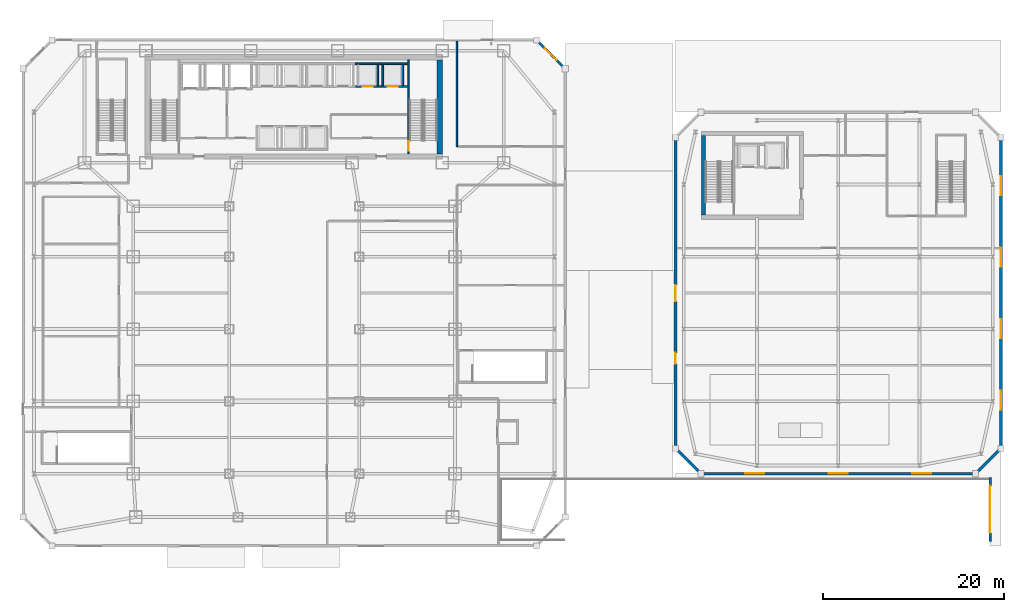
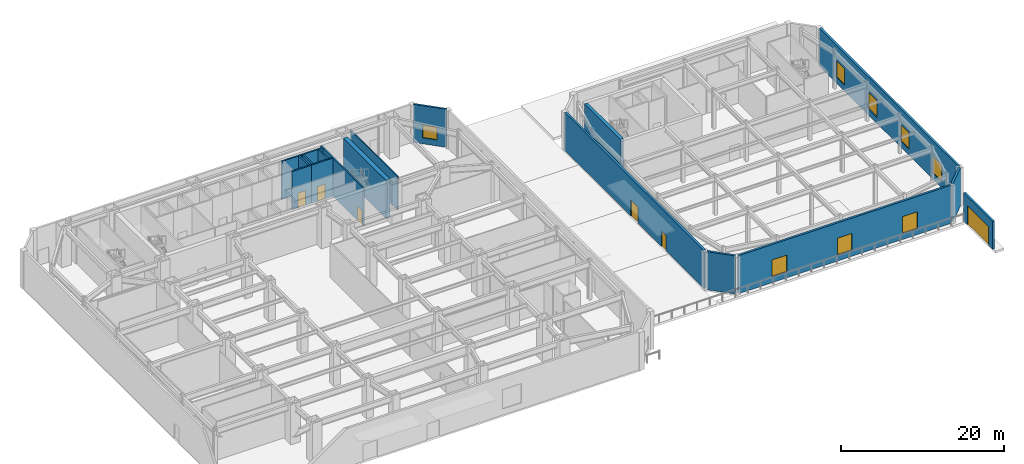
# One storey, part 14 of 23: 18 walls, 8 windows, 6 doors, 14 openings.
"""IFC4 building model written with IfcOpenShell, lengths in metres."""

from ifc_helpers import new_model, si_unit, direction, frame, frame_2d, origin, place, context, subcontext, project, spatial, rectangle, extrude, material, layer, layer_set, type_object, element, fill, save


model = new_model("IFC4")

# Units and contexts
model_context = context("Model", 3, precision=1e-05, world=origin(), true_north=direction((0.0, 1.0)))
body_context = subcontext(model_context, "Body", "Model", "MODEL_VIEW")
ifc_project = project(units=[si_unit("LENGTHUNIT", "METRE"), si_unit("AREAUNIT", "SQUARE_METRE"), si_unit("VOLUMEUNIT", "CUBIC_METRE"), si_unit("PLANEANGLEUNIT", "RADIAN"), si_unit("MASSUNIT", "GRAM", prefix="KILO")], contexts=[model_context])

# Site, building, storey
site_placement = place(None, origin())
site = spatial("IfcSite", under=ifc_project, at=site_placement, CompositionType="ELEMENT")
building_placement = place(site_placement, origin())
building = spatial("IfcBuilding", under=site, at=building_placement, Name="Saevonmaru Cultural Tower", CompositionType="ELEMENT")
storey_placement = place(building_placement, origin())
storey = spatial("IfcBuildingStorey", under=building, at=storey_placement, Name="L00", CompositionType="ELEMENT", Elevation=0.0)

# Walls
ifc_material_1 = material(Name="Concrete C60/75", Category="concrete")
ifc_layer_1 = layer(ifc_material_1, 0.60009765625, Name="Concrete C60/75")
ifc_layer_set_1 = layer_set([ifc_layer_1], Name="Concrete C60/75")
wall_type_1 = type_object("IfcWallType", Name="WL-CORE-600", PredefinedType="SHEAR", material=ifc_layer_set_1)
wall_1_placement = place(storey_placement, frame((46.10009765625, 43.39990234375, 0.0), z_axis=(0.0, 0.0, 1.0), x_axis=(0.0, 1.0, 0.0)))
element("IfcWall", 1, at=wall_1_placement, inside=storey, type_object=wall_type_1, Name="L00 Tower RC core shear wall E", PredefinedType="SHEAR", context=body_context, shape_type="SweptSolid", body=[
    extrude(rectangle(XDim=10.400146484375, YDim=0.60009765625, at=frame_2d((5.2001953125, 0.0))), origin(), (0.0, 0.0, 1.0), 5.699951171875),
])
ifc_material_2 = material(Name="Warm Limestone Precast Concrete C40/50", Category="masonry")
ifc_layer_2 = layer(ifc_material_2, 0.300048828125, Name="Warm Limestone Precast Concrete C40/50")
ifc_layer_set_2 = layer_set([ifc_layer_2], Name="Warm Limestone Precast Concrete C40/50")
wall_type_2 = type_object("IfcWallType", Name="WL-EXT-LIB-300", PredefinedType="STANDARD", material=ifc_layer_set_2)
wall_2_placement = place(storey_placement, frame((74.886962890625, 8.113037109375, 0.0), z_axis=(0.0, 0.0, 1.0), x_axis=(-0.707106781187, 0.707106781187, 0.0)))
element("IfcWall", 2, at=wall_2_placement, inside=storey, type_object=wall_type_2, Name="L00 Central Library Fluted Stone Wall E1", PredefinedType="STANDARD", context=body_context, shape_type="SweptSolid", body=[
    extrude(rectangle(XDim=3.64013671875, YDim=0.300048828125, at=frame_2d((1.820068359375, 0.0))), origin(), (0.0, 0.0, 1.0), 5.699951171875),
])

# Wall, openings, windows
wall_3_placement = place(storey_placement, frame((105.239990234375, 8.0, 0.0), z_axis=(0.0, 0.0, 1.0), x_axis=(-1.0, 0.0, 0.0)))
wall_3 = element("IfcWall", 3, at=wall_3_placement, inside=storey, type_object=wall_type_2, Name="L00 Central Library Fluted Stone Wall E2", PredefinedType="STANDARD", context=body_context, shape_type="SweptSolid", body=[
    extrude(rectangle(XDim=30.080078125, YDim=0.300048828125, at=frame_2d((15.0400390625, 0.0))), origin(), (0.0, 0.0, 1.0), 5.699951171875),
])
opening_1_placement = place(wall_3_placement, frame((4.762939453125, 0.0, 0.89990234375)))
opening_1 = element("IfcOpeningElement", 4, at=opening_1_placement, cuts=wall_3, Name="Opening W-3", PredefinedType="OPENING", context=body_context, shape_type="SweptSolid", body=[
    extrude(rectangle(XDim=2.10009765625, YDim=2.5, at=frame_2d((1.050048828125, 1.25))), frame((0.0, 0.16015625, 0.0), z_axis=(0.0, -1.0, 0.0), x_axis=(1.0, 0.0, 0.0)), (0.0, 0.0, 1.0), 0.320068359375),
])
opening_2_placement = place(wall_3_placement, frame((13.989990234375, 0.0, 0.89990234375)))
opening_2 = element("IfcOpeningElement", 5, at=opening_2_placement, cuts=wall_3, Name="Opening W-3", PredefinedType="OPENING", context=body_context, shape_type="SweptSolid", body=[
    extrude(rectangle(XDim=2.10009765625, YDim=2.5, at=frame_2d((1.050048828125, 1.25))), frame((0.0, 0.16015625, 0.0), z_axis=(0.0, -1.0, 0.0), x_axis=(1.0, 0.0, 0.0)), (0.0, 0.0, 1.0), 0.320068359375),
])
opening_3_placement = place(wall_3_placement, frame((23.217041015625, 0.0, 0.89990234375)))
opening_3 = element("IfcOpeningElement", 6, at=opening_3_placement, cuts=wall_3, Name="Opening W-3", PredefinedType="OPENING", context=body_context, shape_type="SweptSolid", body=[
    extrude(rectangle(XDim=2.10009765625, YDim=2.5, at=frame_2d((1.050048828125, 1.25))), frame((0.0, 0.16015625, 0.0), z_axis=(0.0, -1.0, 0.0), x_axis=(1.0, 0.0, 0.0)), (0.0, 0.0, 1.0), 0.320068359375),
])
ifc_material_3 = material(Name="Satin Bronze Anodised Aluminium", Category="aluminium")
window_type_1 = type_object("IfcWindowType", Name="WN-LIB-2100x2500", PartitioningType="DOUBLE_PANEL_VERTICAL", PredefinedType="WINDOW", material=ifc_material_3)
window_1_placement = place(opening_1_placement, origin())
window_1 = element("IfcWindow", 7, at=window_1_placement, inside=storey, type_object=window_type_1, Name="L00 Library Reading Window E2-1", OverallHeight=2.5, OverallWidth=2.10009765625, PartitioningType="DOUBLE_PANEL_VERTICAL", PredefinedType="WINDOW", context=body_context, shape_type="SweptSolid", body=[
    extrude(rectangle(XDim=2.10009765625, YDim=2.5, at=frame_2d((1.050048828125, 1.25))), frame((0.0, 0.030029296875, 0.0), z_axis=(0.0, -1.0, 0.0), x_axis=(1.0, 0.0, 0.0)), (0.0, 0.0, 1.0), 0.06005859375),
])
fill(opening_1, window_1)
window_2_placement = place(opening_2_placement, origin())
window_2 = element("IfcWindow", 8, at=window_2_placement, inside=storey, type_object=window_type_1, Name="L00 Library Reading Window E2-2", OverallHeight=2.5, OverallWidth=2.10009765625, PartitioningType="DOUBLE_PANEL_VERTICAL", PredefinedType="WINDOW", context=body_context, shape_type="SweptSolid", body=[
    extrude(rectangle(XDim=2.10009765625, YDim=2.5, at=frame_2d((1.050048828125, 1.25))), frame((0.0, 0.030029296875, 0.0), z_axis=(0.0, -1.0, 0.0), x_axis=(1.0, 0.0, 0.0)), (0.0, 0.0, 1.0), 0.06005859375),
])
fill(opening_2, window_2)
window_3_placement = place(opening_3_placement, origin())
window_3 = element("IfcWindow", 9, at=window_3_placement, inside=storey, type_object=window_type_1, Name="L00 Library Reading Window E2-3", OverallHeight=2.5, OverallWidth=2.10009765625, PartitioningType="DOUBLE_PANEL_VERTICAL", PredefinedType="WINDOW", context=body_context, shape_type="SweptSolid", body=[
    extrude(rectangle(XDim=2.10009765625, YDim=2.5, at=frame_2d((1.050048828125, 1.25))), frame((0.0, 0.030029296875, 0.0), z_axis=(0.0, -1.0, 0.0), x_axis=(1.0, 0.0, 0.0)), (0.0, 0.0, 1.0), 0.06005859375),
])
fill(opening_3, window_3)

# Wall
wall_4_placement = place(storey_placement, frame((108.0869140625, 10.68701171875, 0.0), z_axis=(0.0, 0.0, 1.0), x_axis=(-0.707073244381, -0.707140316402, 0.0)))
element("IfcWall", 10, at=wall_4_placement, inside=storey, type_object=wall_type_2, Name="L00 Central Library Fluted Stone Wall E3", PredefinedType="STANDARD", context=body_context, shape_type="SweptSolid", body=[
    extrude(rectangle(XDim=3.639892578125, YDim=0.300048828125, at=frame_2d((1.81982421875, 0.0))), origin(), (0.0, 0.0, 1.0), 5.699951171875),
])

# Wall, openings, windows
wall_5_placement = place(storey_placement, frame((108.199951171875, 45.0400390625, 0.0), z_axis=(0.0, 0.0, 1.0), x_axis=(0.0, -1.0, 0.0)))
wall_5 = element("IfcWall", 11, at=wall_5_placement, inside=storey, type_object=wall_type_2, Name="L00 Central Library Fluted Stone Wall E4", PredefinedType="STANDARD", context=body_context, shape_type="SweptSolid", body=[
    extrude(rectangle(XDim=34.080078125, YDim=0.300048828125, at=frame_2d((17.0400390625, 0.0))), origin(), (0.0, 0.0, 1.0), 5.699951171875),
])
opening_4_placement = place(wall_5_placement, frame((4.110107421875, 0.0, 0.89990234375)))
opening_4 = element("IfcOpeningElement", 12, at=opening_4_placement, cuts=wall_5, Name="Opening W-3", PredefinedType="OPENING", context=body_context, shape_type="SweptSolid", body=[
    extrude(rectangle(XDim=2.10009765625, YDim=2.5, at=frame_2d((1.050048828125, 1.25))), frame((0.0, 0.16015625, 0.0), z_axis=(0.0, -1.0, 0.0), x_axis=(1.0, 0.0, 0.0)), (0.0, 0.0, 1.0), 0.320068359375),
])
opening_5_placement = place(wall_5_placement, frame((12.030029296875, 0.0, 0.89990234375)))
opening_5 = element("IfcOpeningElement", 13, at=opening_5_placement, cuts=wall_5, Name="Opening W-3", PredefinedType="OPENING", context=body_context, shape_type="SweptSolid", body=[
    extrude(rectangle(XDim=2.10009765625, YDim=2.5, at=frame_2d((1.050048828125, 1.25))), frame((0.0, 0.16015625, 0.0), z_axis=(0.0, -1.0, 0.0), x_axis=(1.0, 0.0, 0.0)), (0.0, 0.0, 1.0), 0.320068359375),
])
opening_6_placement = place(wall_5_placement, frame((19.949951171875, 0.0, 0.89990234375)))
opening_6 = element("IfcOpeningElement", 14, at=opening_6_placement, cuts=wall_5, Name="Opening W-3", PredefinedType="OPENING", context=body_context, shape_type="SweptSolid", body=[
    extrude(rectangle(XDim=2.10009765625, YDim=2.5, at=frame_2d((1.050048828125, 1.25))), frame((0.0, 0.16015625, 0.0), z_axis=(0.0, -1.0, 0.0), x_axis=(1.0, 0.0, 0.0)), (0.0, 0.0, 1.0), 0.320068359375),
])
opening_7_placement = place(wall_5_placement, frame((27.8701171875, 0.0, 0.89990234375)))
opening_7 = element("IfcOpeningElement", 15, at=opening_7_placement, cuts=wall_5, Name="Opening W-3", PredefinedType="OPENING", context=body_context, shape_type="SweptSolid", body=[
    extrude(rectangle(XDim=2.10009765625, YDim=2.5, at=frame_2d((1.050048828125, 1.25))), frame((0.0, 0.16015625, 0.0), z_axis=(0.0, -1.0, 0.0), x_axis=(1.0, 0.0, 0.0)), (0.0, 0.0, 1.0), 0.320068359375),
])
window_4_placement = place(opening_4_placement, origin())
window_4 = element("IfcWindow", 16, at=window_4_placement, inside=storey, type_object=window_type_1, Name="L00 Library Reading Window E4-1", OverallHeight=2.5, OverallWidth=2.10009765625, PartitioningType="DOUBLE_PANEL_VERTICAL", PredefinedType="WINDOW", context=body_context, shape_type="SweptSolid", body=[
    extrude(rectangle(XDim=2.10009765625, YDim=2.5, at=frame_2d((1.050048828125, 1.25))), frame((0.0, 0.030029296875, 0.0), z_axis=(0.0, -1.0, 0.0), x_axis=(1.0, 0.0, 0.0)), (0.0, 0.0, 1.0), 0.06005859375),
])
fill(opening_4, window_4)
window_5_placement = place(opening_5_placement, origin())
window_5 = element("IfcWindow", 17, at=window_5_placement, inside=storey, type_object=window_type_1, Name="L00 Library Reading Window E4-2", OverallHeight=2.5, OverallWidth=2.10009765625, PartitioningType="DOUBLE_PANEL_VERTICAL", PredefinedType="WINDOW", context=body_context, shape_type="SweptSolid", body=[
    extrude(rectangle(XDim=2.10009765625, YDim=2.5, at=frame_2d((1.050048828125, 1.25))), frame((0.0, 0.030029296875, 0.0), z_axis=(0.0, -1.0, 0.0), x_axis=(1.0, 0.0, 0.0)), (0.0, 0.0, 1.0), 0.06005859375),
])
fill(opening_5, window_5)
window_6_placement = place(opening_6_placement, origin())
window_6 = element("IfcWindow", 18, at=window_6_placement, inside=storey, type_object=window_type_1, Name="L00 Library Reading Window E4-3", OverallHeight=2.5, OverallWidth=2.10009765625, PartitioningType="DOUBLE_PANEL_VERTICAL", PredefinedType="WINDOW", context=body_context, shape_type="SweptSolid", body=[
    extrude(rectangle(XDim=2.10009765625, YDim=2.5, at=frame_2d((1.050048828125, 1.25))), frame((0.0, 0.030029296875, 0.0), z_axis=(0.0, -1.0, 0.0), x_axis=(1.0, 0.0, 0.0)), (0.0, 0.0, 1.0), 0.06005859375),
])
fill(opening_6, window_6)
window_7_placement = place(opening_7_placement, origin())
window_7 = element("IfcWindow", 19, at=window_7_placement, inside=storey, type_object=window_type_1, Name="L00 Library Reading Window E4-4", OverallHeight=2.5, OverallWidth=2.10009765625, PartitioningType="DOUBLE_PANEL_VERTICAL", PredefinedType="WINDOW", context=body_context, shape_type="SweptSolid", body=[
    extrude(rectangle(XDim=2.10009765625, YDim=2.5, at=frame_2d((1.050048828125, 1.25))), frame((0.0, 0.030029296875, 0.0), z_axis=(0.0, -1.0, 0.0), x_axis=(1.0, 0.0, 0.0)), (0.0, 0.0, 1.0), 0.06005859375),
])
fill(opening_7, window_7)

# Wall, openings, doors
wall_6_placement = place(storey_placement, frame((72.199951171875, 10.9599609375, 0.0), z_axis=(0.0, 0.0, 1.0), x_axis=(0.0, 1.0, 0.0)))
wall_6 = element("IfcWall", 20, at=wall_6_placement, inside=storey, type_object=wall_type_2, Name="L00 Central Library Fluted Stone Wall E8", PredefinedType="STANDARD", context=body_context, shape_type="SweptSolid", body=[
    extrude(rectangle(XDim=34.080078125, YDim=0.300048828125, at=frame_2d((17.0400390625, 0.0))), origin(), (0.0, 0.0, 1.0), 5.699951171875),
])
opening_8_placement = place(wall_6_placement, frame((16.10009765625, 0.0, 0.0)))
opening_8 = element("IfcOpeningElement", 21, at=opening_8_placement, cuts=wall_6, Name="Opening EXD-1", PredefinedType="OPENING", context=body_context, shape_type="SweptSolid", body=[
    extrude(rectangle(XDim=1.800048828125, YDim=2.39990234375, at=frame_2d((0.89990234375, 1.199951171875))), frame((0.0, 0.16015625, 0.0), z_axis=(0.0, -1.0, 0.0), x_axis=(1.0, 0.0, 0.0)), (0.0, 0.0, 1.0), 0.320068359375),
])
opening_9_placement = place(wall_6_placement, frame((9.199951171875, 0.0, 0.0)))
opening_9 = element("IfcOpeningElement", 22, at=opening_9_placement, cuts=wall_6, Name="Opening EXD-2", PredefinedType="OPENING", context=body_context, shape_type="SweptSolid", body=[
    extrude(rectangle(XDim=1.199951171875, YDim=2.25, at=frame_2d((0.60009765625, 1.125))), frame((0.0, 0.16015625, 0.0), z_axis=(0.0, -1.0, 0.0), x_axis=(1.0, 0.0, 0.0)), (0.0, 0.0, 1.0), 0.320068359375),
])
door_type_1 = type_object("IfcDoorType", Name="DR-EXIT-1200", OperationType="SINGLE_SWING_LEFT", PredefinedType="DOOR", material=ifc_material_3)
door_1_placement = place(opening_9_placement, origin())
door_1 = element("IfcDoor", 23, at=door_1_placement, inside=storey, type_object=door_type_1, Name="Central Library Plaza Entrance Door 2", OperationType="SINGLE_SWING_LEFT", OverallHeight=2.25, OverallWidth=1.199951171875, PredefinedType="DOOR", context=body_context, shape_type="SweptSolid", body=[
    extrude(rectangle(XDim=1.199951171875, YDim=2.25, at=frame_2d((0.60009765625, 1.125))), frame((0.0, 0.02490234375, 0.0), z_axis=(0.0, -1.0, 0.0), x_axis=(1.0, 0.0, 0.0)), (0.0, 0.0, 1.0), 0.050048828125),
])
fill(opening_9, door_1)
door_type_2 = type_object("IfcDoorType", Name="DR-EXIT-1800", OperationType="DOUBLE_DOOR_SINGLE_SWING", PredefinedType="DOOR", material=ifc_material_3)
door_2_placement = place(opening_8_placement, origin())
door_2 = element("IfcDoor", 24, at=door_2_placement, inside=storey, type_object=door_type_2, Name="Central Library Plaza Entrance Door 1", OperationType="DOUBLE_DOOR_SINGLE_SWING", OverallHeight=2.39990234375, OverallWidth=1.800048828125, PredefinedType="DOOR", context=body_context, shape_type="SweptSolid", body=[
    extrude(rectangle(XDim=1.800048828125, YDim=2.39990234375, at=frame_2d((0.89990234375, 1.199951171875))), frame((0.0, 0.02490234375, 0.0), z_axis=(0.0, -1.0, 0.0), x_axis=(1.0, 0.0, 0.0)), (0.0, 0.0, 1.0), 0.050048828125),
])
fill(opening_8, door_2)

# Wall, opening, window
ifc_material_4 = material(Name="Granite-Clad Precast Concrete C40/50", Category="masonry")
ifc_layer_3 = layer(ifc_material_4, 0.260009765625, Name="Granite-Clad Precast Concrete C40/50")
ifc_layer_set_3 = layer_set([ifc_layer_3], Name="Granite-Clad Precast Concrete C40/50")
wall_type_3 = type_object("IfcWallType", Name="WL-EXT-SPANDREL-260", PredefinedType="STANDARD", material=ifc_layer_set_3)
wall_7_placement = place(storey_placement, frame((56.9130859375, 55.886962890625, 0.0), z_axis=(0.0, 0.0, 1.0), x_axis=(0.707106781187, -0.707106781187, 0.0)))
wall_7 = element("IfcWall", 25, at=wall_7_placement, inside=storey, type_object=wall_type_3, Name="L00 Podium Bronze-Granite Exterior Wall E5", PredefinedType="STANDARD", context=body_context, shape_type="SweptSolid", body=[
    extrude(rectangle(XDim=4.205810546875, YDim=0.260009765625, at=frame_2d((2.10302734375, 0.0))), origin(), (0.0, 0.0, 1.0), 5.699951171875),
])
opening_10_placement = place(wall_7_placement, frame((1.202880859375, 0.0, 0.89990234375)))
opening_10 = element("IfcOpeningElement", 26, at=opening_10_placement, cuts=wall_7, Name="Opening W-2", PredefinedType="OPENING", context=body_context, shape_type="SweptSolid", body=[
    extrude(rectangle(XDim=1.800048828125, YDim=1.89990234375, at=frame_2d((0.89990234375, 0.949951171875))), frame((0.0, 0.14013671875, 0.0), z_axis=(0.0, -1.0, 0.0), x_axis=(1.0, 0.0, 0.0)), (0.0, 0.0, 1.0), 0.280029296875),
])
window_type_2 = type_object("IfcWindowType", Name="WN-DECO-1800x1900", PartitioningType="SINGLE_PANEL", PredefinedType="WINDOW", material=ifc_material_3)
window_8_placement = place(opening_10_placement, origin())
window_8 = element("IfcWindow", 27, at=window_8_placement, inside=storey, type_object=window_type_2, Name="L00 Chamfer Bay Window E5", OverallHeight=1.89990234375, OverallWidth=1.800048828125, PartitioningType="SINGLE_PANEL", PredefinedType="WINDOW", context=body_context, shape_type="SweptSolid", body=[
    extrude(rectangle(XDim=1.800048828125, YDim=1.89990234375, at=frame_2d((0.89990234375, 0.949951171875))), frame((0.0, 0.030029296875, 0.0), z_axis=(0.0, -1.0, 0.0), x_axis=(1.0, 0.0, 0.0)), (0.0, 0.0, 1.0), 0.06005859375),
])
fill(opening_10, window_8)

# Wall, opening, door
ifc_layer_4 = layer(ifc_material_4, 0.280029296875, Name="Granite-Clad Precast Concrete C40/50")
ifc_layer_set_4 = layer_set([ifc_layer_4], Name="Granite-Clad Precast Concrete C40/50")
wall_type_4 = type_object("IfcWallType", Name="WL-EXT-SPANDREL-280", PredefinedType="STANDARD", material=ifc_layer_set_4)
wall_8_placement = place(storey_placement, frame((107.0, 0.5, 0.0), z_axis=(0.0, 0.0, 1.0), x_axis=(0.0, 1.0, 0.0)))
wall_8 = element("IfcWall", 28, at=wall_8_placement, inside=storey, type_object=wall_type_4, Name="L00 Car Park Ramp VR-1 Street Portal Wall", PredefinedType="STANDARD", context=body_context, shape_type="SweptSolid", body=[
    extrude(rectangle(XDim=7.10009765625, YDim=0.280029296875, at=frame_2d((3.550048828125, 0.0))), origin(), (0.0, 0.0, 1.0), 4.199951171875),
])
opening_11_placement = place(wall_8_placement, frame((0.949951171875, 0.0, 0.0)))
opening_11 = element("IfcOpeningElement", 29, at=opening_11_placement, cuts=wall_8, Name="Opening VG-1", PredefinedType="OPENING", context=body_context, shape_type="SweptSolid", body=[
    extrude(rectangle(XDim=5.199951171875, YDim=2.800048828125, at=frame_2d((2.60009765625, 1.39990234375))), frame((0.0, 0.14990234375, 0.0), z_axis=(0.0, -1.0, 0.0), x_axis=(1.0, 0.0, 0.0)), (0.0, 0.0, 1.0), 0.300048828125),
])
ifc_material_5 = material(Name="Champagne Bronze Perforated Steel", Category="steel")
door_type_3 = type_object("IfcDoorType", Name="DR-VEH-GATE-5200", OperationType="SLIDING_TO_LEFT", PredefinedType="GATE", material=ifc_material_5)
door_3_placement = place(opening_11_placement, origin())
door_3 = element("IfcDoor", 30, at=door_3_placement, inside=storey, type_object=door_type_3, Name="L00 Car Park Vehicle Ramp Security Gate VG-1", OperationType="SLIDING_TO_LEFT", OverallHeight=2.800048828125, OverallWidth=5.199951171875, PredefinedType="GATE", context=body_context, shape_type="SweptSolid", body=[
    extrude(rectangle(XDim=5.199951171875, YDim=2.800048828125, at=frame_2d((2.60009765625, 1.39990234375))), frame((0.0, 0.02490234375, 0.0), z_axis=(0.0, -1.0, 0.0), x_axis=(1.0, 0.0, 0.0)), (0.0, 0.0, 1.0), 0.050048828125),
])
fill(opening_11, door_3)

# Walls
ifc_material_6 = material(Name="Concrete C50/60", Category="concrete")
ifc_layer_5 = layer(ifc_material_6, 0.449951171875, Name="Concrete C50/60")
ifc_layer_set_5 = layer_set([ifc_layer_5], Name="Concrete C50/60")
wall_type_5 = type_object("IfcWallType", Name="WL-LCORE-450", PredefinedType="SHEAR", material=ifc_layer_set_5)
wall_9_placement = place(storey_placement, frame((75.27490234375, 36.60009765625, 0.0), z_axis=(0.0, 0.0, 1.0), x_axis=(0.0, 1.0, 0.0)))
element("IfcWall", 31, at=wall_9_placement, inside=storey, type_object=wall_type_5, Name="L00 Central Library RC core shear wall W", PredefinedType="SHEAR", context=body_context, shape_type="SweptSolid", body=[
    extrude(rectangle(XDim=8.7998046875, YDim=0.449951171875, at=frame_2d((4.39990234375, 0.0))), origin(), (0.0, 0.0, 1.0), 5.699951171875),
])
ifc_material_7 = material(Name="Gypsum Fireboard Partition", Category="gypsum")
ifc_layer_6 = layer(ifc_material_7, 0.14990234375, Name="Gypsum Fireboard Partition")
ifc_layer_set_6 = layer_set([ifc_layer_6], Name="Gypsum Fireboard Partition")
wall_type_6 = type_object("IfcWallType", Name="WL-PART-FIRE-150", PredefinedType="PARTITIONING", material=ifc_layer_set_6)
wall_10_placement = place(storey_placement, frame((48.0, 44.199951171875, 0.0), z_axis=(0.0, 0.0, 1.0), x_axis=(0.0, 1.0, 0.0)))
element("IfcWall", 32, at=wall_10_placement, inside=storey, type_object=wall_type_6, Name="L00 East Exit Passageway West Wall", PredefinedType="PARTITIONING", context=body_context, shape_type="SweptSolid", body=[
    extrude(rectangle(XDim=11.64013671875, YDim=0.14990234375, at=frame_2d((5.820068359375, 0.0))), origin(), (0.0, 0.0, 1.0), 4.985107421875),
])

# Wall, opening, door
ifc_material_8 = material(Name="Concrete C40/50", Category="concrete")
ifc_layer_7 = layer(ifc_material_8, 0.199951171875, Name="Concrete C40/50")
ifc_layer_set_7 = layer_set([ifc_layer_7], Name="Concrete C40/50")
wall_type_7 = type_object("IfcWallType", Name="WL-SHAFT-200", PredefinedType="SHEAR", material=ifc_layer_set_7)
wall_11_placement = place(storey_placement, frame((36.77490234375, 50.85009765625, 0.0), z_axis=(0.0, 0.0, 1.0), x_axis=(1.0, 0.0, 0.0)))
wall_11 = element("IfcWall", 33, at=wall_11_placement, inside=storey, type_object=wall_type_7, Name="L00 Lift PL-H2 Hoistway Wall S", PredefinedType="SHEAR", context=body_context, shape_type="SweptSolid", body=[
    extrude(rectangle(XDim=2.75, YDim=0.199951171875, at=frame_2d((1.375, 0.0))), origin(), (0.0, 0.0, 1.0), 5.699951171875),
])
opening_12_placement = place(wall_11_placement, frame((0.824951171875, 0.0, 0.0)))
opening_12 = element("IfcOpeningElement", 34, at=opening_12_placement, cuts=wall_11, Name="Opening LD-1", PredefinedType="OPENING", context=body_context, shape_type="SweptSolid", body=[
    extrude(rectangle(XDim=1.10009765625, YDim=2.199951171875, at=frame_2d((0.550048828125, 1.10009765625))), frame((0.0, 0.10986328125, 0.0), z_axis=(0.0, -1.0, 0.0), x_axis=(1.0, 0.0, 0.0)), (0.0, 0.0, 1.0), 0.219970703125),
])
ifc_material_9 = material(Name="Satin Bronze Stainless Steel", Category="steel")
door_type_4 = type_object("IfcDoorType", Name="DR-LIFT-1100", OperationType="SLIDING_TO_LEFT", PredefinedType="DOOR", material=ifc_material_9)
door_4_placement = place(opening_12_placement, origin())
door_4 = element("IfcDoor", 35, at=door_4_placement, inside=storey, type_object=door_type_4, Name="L00 Lift PL-H2 Sliding Landing Door", OperationType="SLIDING_TO_LEFT", OverallHeight=2.199951171875, OverallWidth=1.10009765625, PredefinedType="DOOR", context=body_context, shape_type="SweptSolid", body=[
    extrude(rectangle(XDim=1.10009765625, YDim=2.199951171875, at=frame_2d((0.550048828125, 1.10009765625))), frame((0.0, 0.02490234375, 0.0), z_axis=(0.0, -1.0, 0.0), x_axis=(1.0, 0.0, 0.0)), (0.0, 0.0, 1.0), 0.050048828125),
])
fill(opening_12, door_4)

# Walls
wall_12_placement = place(storey_placement, frame((36.77490234375, 53.35009765625, 0.0), z_axis=(0.0, 0.0, 1.0), x_axis=(1.0, 0.0, 0.0)))
element("IfcWall", 36, at=wall_12_placement, inside=storey, type_object=wall_type_7, Name="L00 Lift PL-H2 Hoistway Wall N", PredefinedType="SHEAR", context=body_context, shape_type="SweptSolid", body=[
    extrude(rectangle(XDim=2.75, YDim=0.199951171875, at=frame_2d((1.375, 0.0))), origin(), (0.0, 0.0, 1.0), 5.699951171875),
])
wall_13_placement = place(storey_placement, frame((39.25, 50.949951171875, 0.0), z_axis=(0.0, 0.0, 1.0), x_axis=(0.0, 1.0, 0.0)))
element("IfcWall", 37, at=wall_13_placement, inside=storey, type_object=wall_type_7, Name="L00 Lift PL-H2 Hoistway Wall E", PredefinedType="SHEAR", context=body_context, shape_type="SweptSolid", body=[
    extrude(rectangle(XDim=2.300048828125, YDim=0.199951171875, at=frame_2d((1.14990234375, 0.0))), origin(), (0.0, 0.0, 1.0), 5.699951171875),
])

# Wall, opening, door
wall_14_placement = place(storey_placement, frame((39.52490234375, 50.85009765625, 0.0), z_axis=(0.0, 0.0, 1.0), x_axis=(1.0, 0.0, 0.0)))
wall_14 = element("IfcWall", 38, at=wall_14_placement, inside=storey, type_object=wall_type_7, Name="L00 Lift PL-H3 Hoistway Wall S", PredefinedType="SHEAR", context=body_context, shape_type="SweptSolid", body=[
    extrude(rectangle(XDim=3.045166015625, YDim=0.199951171875, at=frame_2d((1.5224609375, 0.0))), origin(), (0.0, 0.0, 1.0), 5.699951171875),
])
opening_13_placement = place(wall_14_placement, frame((0.824951171875, 0.0, 0.0)))
opening_13 = element("IfcOpeningElement", 39, at=opening_13_placement, cuts=wall_14, Name="Opening LD-1", PredefinedType="OPENING", context=body_context, shape_type="SweptSolid", body=[
    extrude(rectangle(XDim=1.10009765625, YDim=2.199951171875, at=frame_2d((0.550048828125, 1.10009765625))), frame((0.0, 0.10986328125, 0.0), z_axis=(0.0, -1.0, 0.0), x_axis=(1.0, 0.0, 0.0)), (0.0, 0.0, 1.0), 0.219970703125),
])
door_5_placement = place(opening_13_placement, origin())
door_5 = element("IfcDoor", 40, at=door_5_placement, inside=storey, type_object=door_type_4, Name="L00 Lift PL-H3 Sliding Landing Door", OperationType="SLIDING_TO_LEFT", OverallHeight=2.199951171875, OverallWidth=1.10009765625, PredefinedType="DOOR", context=body_context, shape_type="SweptSolid", body=[
    extrude(rectangle(XDim=1.10009765625, YDim=2.199951171875, at=frame_2d((0.550048828125, 1.10009765625))), frame((0.0, 0.02490234375, 0.0), z_axis=(0.0, -1.0, 0.0), x_axis=(1.0, 0.0, 0.0)), (0.0, 0.0, 1.0), 0.050048828125),
])
fill(opening_13, door_5)

# Walls
wall_15_placement = place(storey_placement, frame((39.52490234375, 53.35009765625, 0.0), z_axis=(0.0, 0.0, 1.0), x_axis=(1.0, 0.0, 0.0)))
element("IfcWall", 41, at=wall_15_placement, inside=storey, type_object=wall_type_7, Name="L00 Lift PL-H3 Hoistway Wall N", PredefinedType="SHEAR", context=body_context, shape_type="SweptSolid", body=[
    extrude(rectangle(XDim=3.045166015625, YDim=0.199951171875, at=frame_2d((1.5224609375, 0.0))), origin(), (0.0, 0.0, 1.0), 5.699951171875),
])
for number, where, z_axis, x_axis, name in (
    (42, (39.800048828125, 50.949951171875, 0.0), (0.0, 0.0, 1.0), (0.0, 1.0, 0.0), "L00 Lift PL-H3 Hoistway Wall W"),
    (43, (42.0, 50.949951171875, 0.0), (0.0, 0.0, 1.0), (0.0, 1.0, 0.0), "L00 Lift PL-H3 Hoistway Wall E"),
):
    element("IfcWall", number, at=place(storey_placement, frame(where, z_axis=z_axis, x_axis=x_axis)), inside=storey, type_object=wall_type_7, Name=name, PredefinedType="SHEAR", context=body_context, shape_type="SweptSolid", body=[
        extrude(rectangle(XDim=2.300048828125, YDim=0.199951171875, at=frame_2d((1.14990234375, 0.0))), origin(), (0.0, 0.0, 1.0), 5.699951171875),
    ])

# Wall, opening, door
ifc_layer_8 = layer(ifc_material_8, 0.179931640625, Name="Concrete C40/50")
ifc_layer_set_8 = layer_set([ifc_layer_8], Name="Concrete C40/50")
wall_type_8 = type_object("IfcWallType", Name="WL-STSHAFT-180", PredefinedType="SHEAR", material=ifc_layer_set_8)
wall_16_placement = place(storey_placement, frame((42.659912109375, 53.800048828125, 0.0), z_axis=(0.0, 0.0, 1.0), x_axis=(0.0, -1.0, 0.0)))
wall_16 = element("IfcWall", 44, at=wall_16_placement, inside=storey, type_object=wall_type_8, Name="L00 Stair ST-2 Structural Shaft Wall 1", PredefinedType="SHEAR", context=body_context, shape_type="SweptSolid", body=[
    extrude(rectangle(XDim=10.400146484375, YDim=0.179931640625, at=frame_2d((5.2001953125, 0.0))), origin(), (0.0, 0.0, 1.0), 5.699951171875),
])
opening_14_placement = place(wall_16_placement, frame((8.989990234375, 0.0, 0.0)))
opening_14 = element("IfcOpeningElement", 45, at=opening_14_placement, cuts=wall_16, Name="Opening FD-2", PredefinedType="OPENING", context=body_context, shape_type="SweptSolid", body=[
    extrude(rectangle(XDim=1.10009765625, YDim=2.14990234375, at=frame_2d((0.550048828125, 1.074951171875))), frame((0.0, 0.10009765625, 0.0), z_axis=(0.0, -1.0, 0.0), x_axis=(1.0, 0.0, 0.0)), (0.0, 0.0, 1.0), 0.199951171875),
])
door_type_5 = type_object("IfcDoorType", Name="DR-FD60-1100", OperationType="SINGLE_SWING_LEFT", PredefinedType="DOOR", material=ifc_material_3)
door_6_placement = place(opening_14_placement, origin())
door_6 = element("IfcDoor", 46, at=door_6_placement, inside=storey, type_object=door_type_5, Name="L00 Protected Stair ST-2 Fire Door", OperationType="SINGLE_SWING_LEFT", OverallHeight=2.14990234375, OverallWidth=1.10009765625, PredefinedType="DOOR", context=body_context, shape_type="SweptSolid", body=[
    extrude(rectangle(XDim=1.10009765625, YDim=2.14990234375, at=frame_2d((0.550048828125, 1.074951171875))), frame((0.0, 0.02490234375, 0.0), z_axis=(0.0, -1.0, 0.0), x_axis=(1.0, 0.0, 0.0)), (0.0, 0.0, 1.0), 0.050048828125),
])
fill(opening_14, door_6)

save(model, "model.ifc")
